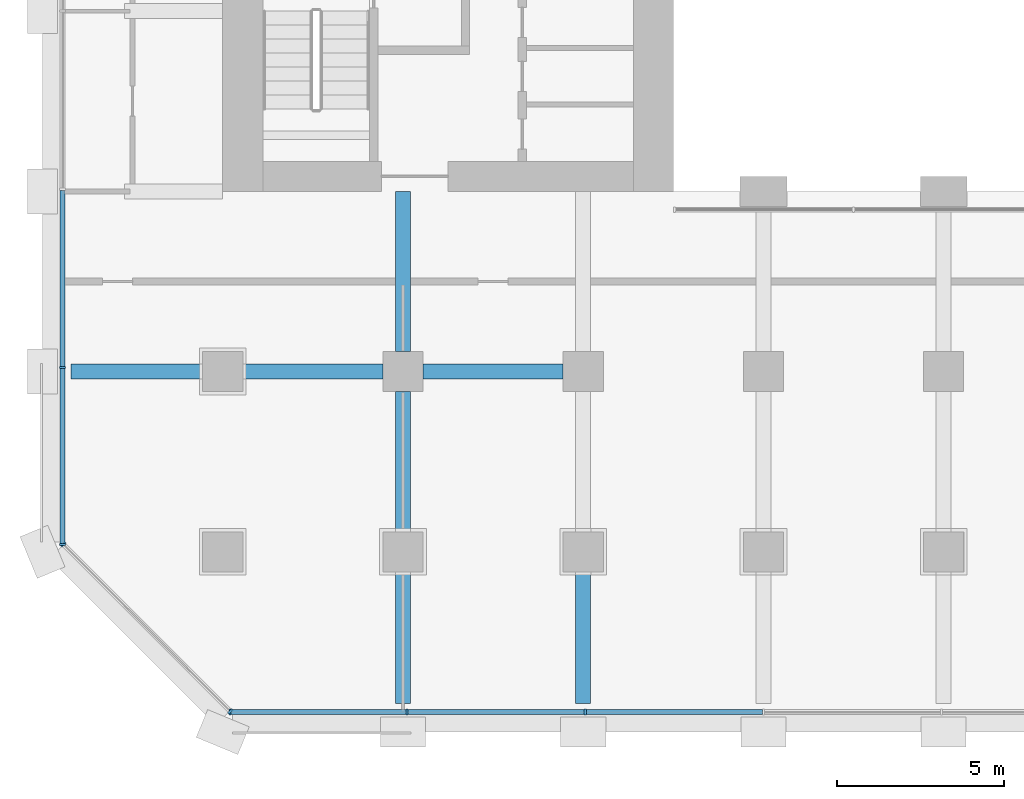
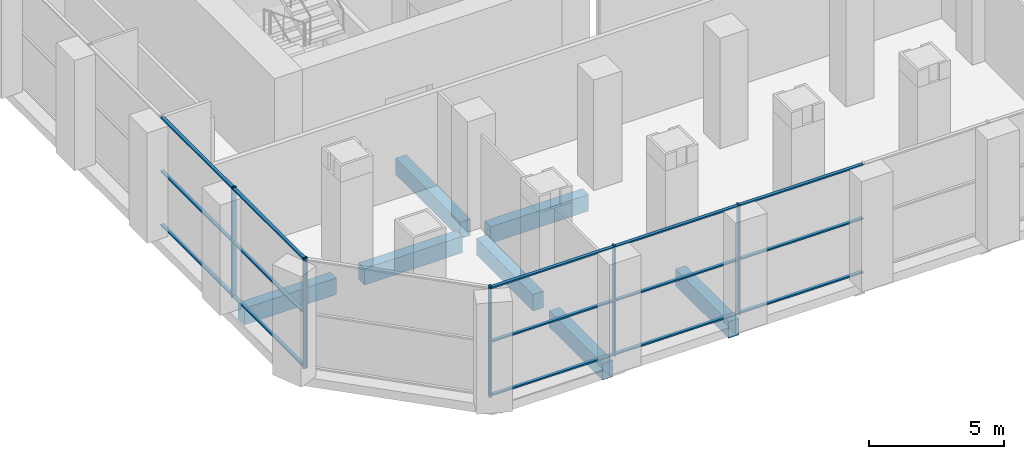
# One storey, part 2 of 27: 22 members, 7 beams, 3 elements without a shape of their own.
"""IFC4 building model written with IfcOpenShell, lengths in metres."""

from ifc_helpers import new_model, si_unit, direction, frame, origin, origin_2d, place, context, subcontext, project, spatial, rectangle, extrude, material, material_profile, profile_set, type_object, element, aggregate, save


model = new_model("IFC4")

# Units and contexts
model_context = context("Model", 3, precision=1e-05, world=origin(), true_north=direction((0.0, 1.0)))
body_context = subcontext(model_context, "Body", "Model", "MODEL_VIEW")
ifc_project = project(units=[si_unit("LENGTHUNIT", "METRE"), si_unit("AREAUNIT", "SQUARE_METRE"), si_unit("VOLUMEUNIT", "CUBIC_METRE"), si_unit("PLANEANGLEUNIT", "RADIAN"), si_unit("MASSUNIT", "GRAM", prefix="KILO")], contexts=[model_context])

# Site, building, storey
site_placement = place(None, origin())
site = spatial("IfcSite", under=ifc_project, at=site_placement, CompositionType="ELEMENT")
building_placement = place(site_placement, origin())
building = spatial("IfcBuilding", under=site, at=building_placement, Name="Tabaq Tower and Sports Hall", CompositionType="ELEMENT")
storey_placement = place(building_placement, frame((0.0, 0.0, 14.39990234375)))
storey = spatial("IfcBuildingStorey", under=building, at=storey_placement, Name="L02", CompositionType="ELEMENT", Elevation=14.39990234375)

# Curtain wall, members
ifc_material_1 = material(Name="Aluminium alloy 6063-T6 framed glazing", Category="aluminium")
curtain_wall_type = type_object("IfcCurtainWallType", Name="CW7 curtain wall", PredefinedType="USERDEFINED", material=ifc_material_1)
curtain_wall_1_placement = place(storey_placement, origin())
curtain_wall_1 = element("IfcCurtainWall", 1, at=curtain_wall_1_placement, inside=storey, type_object=curtain_wall_type, Name="Podium Wall L02 S", ObjectType="PODIUM WALL", PredefinedType="USERDEFINED")
ifc_material_2 = material(Name="Aluminium alloy 6063-T6", Category="aluminium")
ifc_material_profile_1 = material_profile(ifc_material_2, rectangle(XDim=0.179931640625, YDim=0.06494140625, at=origin_2d()), Name="MULLION 180x65")
ifc_profile_set_1 = profile_set([ifc_material_profile_1], Name="Aluminium alloy 6063-T6")
member_type_1 = type_object("IfcMemberType", Name="CW7 mullion 180x65", PredefinedType="MULLION", material=ifc_profile_set_1)
member_1_placement = place(storey_placement, frame((5.618896484375, 0.60009765625, 0.0), z_axis=(0.0, 0.0, 1.0), x_axis=(0.0, 1.0, 0.0)))
member_1 = element("IfcMember", 2, at=member_1_placement, type_object=member_type_1, Name="CW7 mullion 1", PredefinedType="MULLION", context=body_context, shape_type="SweptSolid", body=[
    extrude(rectangle(XDim=0.179931640625, YDim=0.06494140625, at=origin_2d()), origin(), (0.0, 0.0, 1.0), 5.0),
])
member_2_placement = place(storey_placement, frame((10.92431640625, 0.60009765625, 0.0), z_axis=(0.0, 0.0, 1.0), x_axis=(0.0, 1.0, 0.0)))
member_2 = element("IfcMember", 3, at=member_2_placement, type_object=member_type_1, Name="CW7 mullion 2", PredefinedType="MULLION", context=body_context, shape_type="SweptSolid", body=[
    extrude(rectangle(XDim=0.179931640625, YDim=0.06494140625, at=origin_2d()), origin(), (0.0, 0.0, 1.0), 5.0),
])
member_3_placement = place(storey_placement, frame((16.26220703125, 0.60009765625, 0.0), z_axis=(0.0, 0.0, 1.0), x_axis=(0.0, 1.0, 0.0)))
member_3 = element("IfcMember", 4, at=member_3_placement, type_object=member_type_1, Name="CW7 mullion 3", PredefinedType="MULLION", context=body_context, shape_type="SweptSolid", body=[
    extrude(rectangle(XDim=0.179931640625, YDim=0.06494140625, at=origin_2d()), origin(), (0.0, 0.0, 1.0), 5.0),
])

curtain_wall_2_placement = place(storey_placement, origin())
curtain_wall_2 = element("IfcCurtainWall", 5, at=curtain_wall_2_placement, inside=storey, type_object=curtain_wall_type, Name="Podium Wall L02 W", ObjectType="PODIUM WALL", PredefinedType="USERDEFINED")
member_4_placement = place(storey_placement, frame((0.60009765625, 10.92431640625, 0.0), z_axis=(0.0, 0.0, 1.0), x_axis=(1.0, 0.0, 0.0)))
member_4 = element("IfcMember", 6, at=member_4_placement, type_object=member_type_1, Name="CW7 mullion 6", PredefinedType="MULLION", context=body_context, shape_type="SweptSolid", body=[
    extrude(rectangle(XDim=0.179931640625, YDim=0.06494140625, at=origin_2d()), origin(), (0.0, 0.0, 1.0), 5.0),
])
member_5_placement = place(storey_placement, frame((0.60009765625, 5.618896484375, 0.0), z_axis=(0.0, 0.0, 1.0), x_axis=(1.0, 0.0, 0.0)))
member_5 = element("IfcMember", 7, at=member_5_placement, type_object=member_type_1, Name="CW7 mullion 7", PredefinedType="MULLION", context=body_context, shape_type="SweptSolid", body=[
    extrude(rectangle(XDim=0.179931640625, YDim=0.06494140625, at=origin_2d()), origin(), (0.0, 0.0, 1.0), 5.0),
])

curtain_wall_3_placement = place(storey_placement, origin())
curtain_wall_3 = element("IfcCurtainWall", 8, at=curtain_wall_3_placement, inside=storey, type_object=curtain_wall_type, Name="Podium Wall L02 SW", ObjectType="PODIUM WALL", PredefinedType="USERDEFINED")
member_6_placement = place(storey_placement, frame((0.623046875, 5.62548828125, 0.0), z_axis=(0.0, 0.0, 1.0), x_axis=(0.707106781187, 0.707106781187, 0.0)))
member_6 = element("IfcMember", 9, at=member_6_placement, type_object=member_type_1, Name="CW7 mullion 1", PredefinedType="MULLION", context=body_context, shape_type="SweptSolid", body=[
    extrude(rectangle(XDim=0.179931640625, YDim=0.06494140625, at=origin_2d()), origin(), (0.0, 0.0, 1.0), 5.0),
])
member_7_placement = place(storey_placement, frame((5.62548828125, 0.623046875, 0.0), z_axis=(0.0, 0.0, 1.0), x_axis=(0.707106781187, 0.707106781187, 0.0)))
member_7 = element("IfcMember", 10, at=member_7_placement, type_object=member_type_1, Name="CW7 mullion 2", PredefinedType="MULLION", context=body_context, shape_type="SweptSolid", body=[
    extrude(rectangle(XDim=0.179931640625, YDim=0.06494140625, at=origin_2d()), origin(), (0.0, 0.0, 1.0), 5.0),
])
aggregate(curtain_wall_3, [member_6, member_7])

# Member
ifc_material_3 = material(Name="Aluminium alloy 6063-T6", Category="aluminium")
ifc_material_profile_2 = material_profile(ifc_material_3, rectangle(XDim=0.139892578125, YDim=0.06494140625, at=origin_2d()), Name="TRANSOM 140x65")
ifc_profile_set_2 = profile_set([ifc_material_profile_2], Name="Aluminium alloy 6063-T6")
member_type_2 = type_object("IfcMemberType", Name="CW7 transom 140x65", PredefinedType="USERDEFINED", material=ifc_profile_set_2)
member_8_placement = place(storey_placement, frame((5.6513671875, 0.60009765625, 0.070068359375), z_axis=(1.0, 0.0, 0.0), x_axis=(0.0, 1.0, 0.0)))
member_8 = element("IfcMember", 11, at=member_8_placement, type_object=member_type_2, Name="CW7 transom 1.1", ObjectType="TRANSOM", PredefinedType="USERDEFINED", context=body_context, shape_type="SweptSolid", body=[
    extrude(rectangle(XDim=0.139892578125, YDim=0.06494140625, at=origin_2d()), origin(), (0.0, 0.0, 1.0), 5.240478515625),
])

member_9_placement = place(storey_placement, frame((5.6513671875, 0.60009765625, 2.5), z_axis=(1.0, 0.0, 0.0), x_axis=(0.0, 1.0, 0.0)))
member_9 = element("IfcMember", 12, at=member_9_placement, type_object=member_type_2, Name="CW7 transom 1.2", ObjectType="TRANSOM", PredefinedType="USERDEFINED", context=body_context, shape_type="SweptSolid", body=[
    extrude(rectangle(XDim=0.139892578125, YDim=0.06494140625, at=origin_2d()), origin(), (0.0, 0.0, 1.0), 5.240478515625),
])

member_10_placement = place(storey_placement, frame((5.6513671875, 0.60009765625, 4.93017578125), z_axis=(1.0, 0.0, 0.0), x_axis=(0.0, 1.0, 0.0)))
member_10 = element("IfcMember", 13, at=member_10_placement, type_object=member_type_2, Name="CW7 transom 1.3", ObjectType="TRANSOM", PredefinedType="USERDEFINED", context=body_context, shape_type="SweptSolid", body=[
    extrude(rectangle(XDim=0.139892578125, YDim=0.06494140625, at=origin_2d()), origin(), (0.0, 0.0, 1.0), 5.240478515625),
])

member_11_placement = place(storey_placement, frame((10.956787109375, 0.60009765625, 0.070068359375), z_axis=(1.0, 0.0, 0.0), x_axis=(0.0, 1.0, 0.0)))
member_11 = element("IfcMember", 14, at=member_11_placement, type_object=member_type_2, Name="CW7 transom 2.1", ObjectType="TRANSOM", PredefinedType="USERDEFINED", context=body_context, shape_type="SweptSolid", body=[
    extrude(rectangle(XDim=0.139892578125, YDim=0.06494140625, at=origin_2d()), origin(), (0.0, 0.0, 1.0), 5.27294921875),
])

member_12_placement = place(storey_placement, frame((10.956787109375, 0.60009765625, 2.5), z_axis=(1.0, 0.0, 0.0), x_axis=(0.0, 1.0, 0.0)))
member_12 = element("IfcMember", 15, at=member_12_placement, type_object=member_type_2, Name="CW7 transom 2.2", ObjectType="TRANSOM", PredefinedType="USERDEFINED", context=body_context, shape_type="SweptSolid", body=[
    extrude(rectangle(XDim=0.139892578125, YDim=0.06494140625, at=origin_2d()), origin(), (0.0, 0.0, 1.0), 5.27294921875),
])

member_13_placement = place(storey_placement, frame((10.956787109375, 0.60009765625, 4.93017578125), z_axis=(1.0, 0.0, 0.0), x_axis=(0.0, 1.0, 0.0)))
member_13 = element("IfcMember", 16, at=member_13_placement, type_object=member_type_2, Name="CW7 transom 2.3", ObjectType="TRANSOM", PredefinedType="USERDEFINED", context=body_context, shape_type="SweptSolid", body=[
    extrude(rectangle(XDim=0.139892578125, YDim=0.06494140625, at=origin_2d()), origin(), (0.0, 0.0, 1.0), 5.27294921875),
])

member_14_placement = place(storey_placement, frame((16.294677734375, 0.60009765625, 0.070068359375), z_axis=(1.0, 0.0, 0.0), x_axis=(0.0, 1.0, 0.0)))
member_14 = element("IfcMember", 17, at=member_14_placement, type_object=member_type_2, Name="CW7 transom 3.1", ObjectType="TRANSOM", PredefinedType="USERDEFINED", context=body_context, shape_type="SweptSolid", body=[
    extrude(rectangle(XDim=0.139892578125, YDim=0.06494140625, at=origin_2d()), origin(), (0.0, 0.0, 1.0), 5.272705078125),
])

member_15_placement = place(storey_placement, frame((16.294677734375, 0.60009765625, 2.5), z_axis=(1.0, 0.0, 0.0), x_axis=(0.0, 1.0, 0.0)))
member_15 = element("IfcMember", 18, at=member_15_placement, type_object=member_type_2, Name="CW7 transom 3.2", ObjectType="TRANSOM", PredefinedType="USERDEFINED", context=body_context, shape_type="SweptSolid", body=[
    extrude(rectangle(XDim=0.139892578125, YDim=0.06494140625, at=origin_2d()), origin(), (0.0, 0.0, 1.0), 5.272705078125),
])

member_16_placement = place(storey_placement, frame((16.294677734375, 0.60009765625, 4.93017578125), z_axis=(1.0, 0.0, 0.0), x_axis=(0.0, 1.0, 0.0)))
member_16 = element("IfcMember", 19, at=member_16_placement, type_object=member_type_2, Name="CW7 transom 3.3", ObjectType="TRANSOM", PredefinedType="USERDEFINED", context=body_context, shape_type="SweptSolid", body=[
    extrude(rectangle(XDim=0.139892578125, YDim=0.06494140625, at=origin_2d()), origin(), (0.0, 0.0, 1.0), 5.272705078125),
])

aggregate(curtain_wall_1, [member_1, member_2, member_3, member_8, member_9, member_10, member_11, member_12, member_13, member_14, member_15, member_16])

member_17_placement = place(storey_placement, frame((0.60009765625, 16.229736328125, 0.070068359375), z_axis=(0.0, -1.0, 0.0), x_axis=(1.0, 0.0, 0.0)))
member_17 = element("IfcMember", 20, at=member_17_placement, type_object=member_type_2, Name="CW7 transom 5.1", ObjectType="TRANSOM", PredefinedType="USERDEFINED", context=body_context, shape_type="SweptSolid", body=[
    extrude(rectangle(XDim=0.139892578125, YDim=0.06494140625, at=origin_2d()), origin(), (0.0, 0.0, 1.0), 5.27294921875),
])

member_18_placement = place(storey_placement, frame((0.60009765625, 16.229736328125, 2.5), z_axis=(0.0, -1.0, 0.0), x_axis=(1.0, 0.0, 0.0)))
member_18 = element("IfcMember", 21, at=member_18_placement, type_object=member_type_2, Name="CW7 transom 5.2", ObjectType="TRANSOM", PredefinedType="USERDEFINED", context=body_context, shape_type="SweptSolid", body=[
    extrude(rectangle(XDim=0.139892578125, YDim=0.06494140625, at=origin_2d()), origin(), (0.0, 0.0, 1.0), 5.27294921875),
])

member_19_placement = place(storey_placement, frame((0.60009765625, 16.229736328125, 4.93017578125), z_axis=(0.0, -1.0, 0.0), x_axis=(1.0, 0.0, 0.0)))
member_19 = element("IfcMember", 22, at=member_19_placement, type_object=member_type_2, Name="CW7 transom 5.3", ObjectType="TRANSOM", PredefinedType="USERDEFINED", context=body_context, shape_type="SweptSolid", body=[
    extrude(rectangle(XDim=0.139892578125, YDim=0.06494140625, at=origin_2d()), origin(), (0.0, 0.0, 1.0), 5.27294921875),
])

member_20_placement = place(storey_placement, frame((0.60009765625, 10.891845703125, 0.070068359375), z_axis=(0.0, -1.0, 0.0), x_axis=(1.0, 0.0, 0.0)))
member_20 = element("IfcMember", 23, at=member_20_placement, type_object=member_type_2, Name="CW7 transom 6.1", ObjectType="TRANSOM", PredefinedType="USERDEFINED", context=body_context, shape_type="SweptSolid", body=[
    extrude(rectangle(XDim=0.139892578125, YDim=0.06494140625, at=origin_2d()), origin(), (0.0, 0.0, 1.0), 5.240478515625),
])

member_21_placement = place(storey_placement, frame((0.60009765625, 10.891845703125, 2.5), z_axis=(0.0, -1.0, 0.0), x_axis=(1.0, 0.0, 0.0)))
member_21 = element("IfcMember", 24, at=member_21_placement, type_object=member_type_2, Name="CW7 transom 6.2", ObjectType="TRANSOM", PredefinedType="USERDEFINED", context=body_context, shape_type="SweptSolid", body=[
    extrude(rectangle(XDim=0.139892578125, YDim=0.06494140625, at=origin_2d()), origin(), (0.0, 0.0, 1.0), 5.240478515625),
])

member_22_placement = place(storey_placement, frame((0.60009765625, 10.891845703125, 4.93017578125), z_axis=(0.0, -1.0, 0.0), x_axis=(1.0, 0.0, 0.0)))
member_22 = element("IfcMember", 25, at=member_22_placement, type_object=member_type_2, Name="CW7 transom 6.3", ObjectType="TRANSOM", PredefinedType="USERDEFINED", context=body_context, shape_type="SweptSolid", body=[
    extrude(rectangle(XDim=0.139892578125, YDim=0.06494140625, at=origin_2d()), origin(), (0.0, 0.0, 1.0), 5.240478515625),
])

aggregate(curtain_wall_2, [member_4, member_5, member_17, member_18, member_19, member_20, member_21, member_22])

# Beams
ifc_material_4 = material(Name="Concrete C40/50", Category="concrete")
ifc_material_profile_3 = material_profile(ifc_material_4, rectangle(XDim=0.449951171875, YDim=0.75, at=origin_2d()), Name="CB 450x750")
ifc_profile_set_3 = profile_set([ifc_material_profile_3], Name="Concrete C40/50")
beam_type = type_object("IfcBeamType", Name="PT CANTILEVER BEAM CB 450x750 C40/50", PredefinedType="BEAM", material=ifc_profile_set_3)
beam_1_placement = place(storey_placement, frame((0.85009765625, 10.800048828125, -0.77490234375), z_axis=(1.0, 0.0, 0.0), x_axis=(0.0, 1.0, 0.0)))
element("IfcBeam", 26, at=beam_1_placement, inside=storey, type_object=beam_type, Name="Cantilever Beam L02 W2 span 1", PredefinedType="BEAM", context=body_context, shape_type="SweptSolid", body=[
    extrude(rectangle(XDim=0.449951171875, YDim=0.75, at=origin_2d()), origin(), (0.0, 0.0, 1.0), 3.949951171875),
])
beam_2_placement = place(storey_placement, frame((6.0, 10.800048828125, -0.77490234375), z_axis=(1.0, 0.0, 0.0), x_axis=(0.0, 1.0, 0.0)))
element("IfcBeam", 27, at=beam_2_placement, inside=storey, type_object=beam_type, Name="Cantilever Beam L02 W2 span 2", PredefinedType="BEAM", context=body_context, shape_type="SweptSolid", body=[
    extrude(rectangle(XDim=0.449951171875, YDim=0.75, at=origin_2d()), origin(), (0.0, 0.0, 1.0), 4.199951171875),
])
beam_3_placement = place(storey_placement, frame((11.39990234375, 10.800048828125, -0.77490234375), z_axis=(1.0, 0.0, 0.0), x_axis=(0.0, 1.0, 0.0)))
element("IfcBeam", 28, at=beam_3_placement, inside=storey, type_object=beam_type, Name="Cantilever Beam L02 W2 span 3", PredefinedType="BEAM", context=body_context, shape_type="SweptSolid", body=[
    extrude(rectangle(XDim=0.449951171875, YDim=0.75, at=origin_2d()), origin(), (0.0, 0.0, 1.0), 4.2001953125),
])
beam_4_placement = place(storey_placement, frame((10.800048828125, 0.85009765625, -0.77490234375), z_axis=(0.0, 1.0, 0.0), x_axis=(-1.0, 0.0, 0.0)))
element("IfcBeam", 29, at=beam_4_placement, inside=storey, type_object=beam_type, Name="Cantilever Beam L02 S2 span 1", PredefinedType="BEAM", context=body_context, shape_type="SweptSolid", body=[
    extrude(rectangle(XDim=0.449951171875, YDim=0.75, at=origin_2d()), origin(), (0.0, 0.0, 1.0), 3.949951171875),
])
beam_5_placement = place(storey_placement, frame((10.800048828125, 6.0, -0.77490234375), z_axis=(0.0, 1.0, 0.0), x_axis=(-1.0, 0.0, 0.0)))
element("IfcBeam", 30, at=beam_5_placement, inside=storey, type_object=beam_type, Name="Cantilever Beam L02 S2 span 2", PredefinedType="BEAM", context=body_context, shape_type="SweptSolid", body=[
    extrude(rectangle(XDim=0.449951171875, YDim=0.75, at=origin_2d()), origin(), (0.0, 0.0, 1.0), 4.199951171875),
])
beam_6_placement = place(storey_placement, frame((10.800048828125, 11.39990234375, -0.77490234375), z_axis=(0.0, 1.0, 0.0), x_axis=(-1.0, 0.0, 0.0)))
element("IfcBeam", 31, at=beam_6_placement, inside=storey, type_object=beam_type, Name="Cantilever Beam L02 S2 span 3", PredefinedType="BEAM", context=body_context, shape_type="SweptSolid", body=[
    extrude(rectangle(XDim=0.449951171875, YDim=0.75, at=origin_2d()), origin(), (0.0, 0.0, 1.0), 4.800048828125),
])
beam_7_placement = place(storey_placement, frame((16.199951171875, 0.85009765625, -0.77490234375), z_axis=(0.0, 1.0, 0.0), x_axis=(-1.0, 0.0, 0.0)))
element("IfcBeam", 32, at=beam_7_placement, inside=storey, type_object=beam_type, Name="Cantilever Beam L02 S3 span 1", PredefinedType="BEAM", context=body_context, shape_type="SweptSolid", body=[
    extrude(rectangle(XDim=0.449951171875, YDim=0.75, at=origin_2d()), origin(), (0.0, 0.0, 1.0), 3.949951171875),
])

save(model, "model.ifc")
